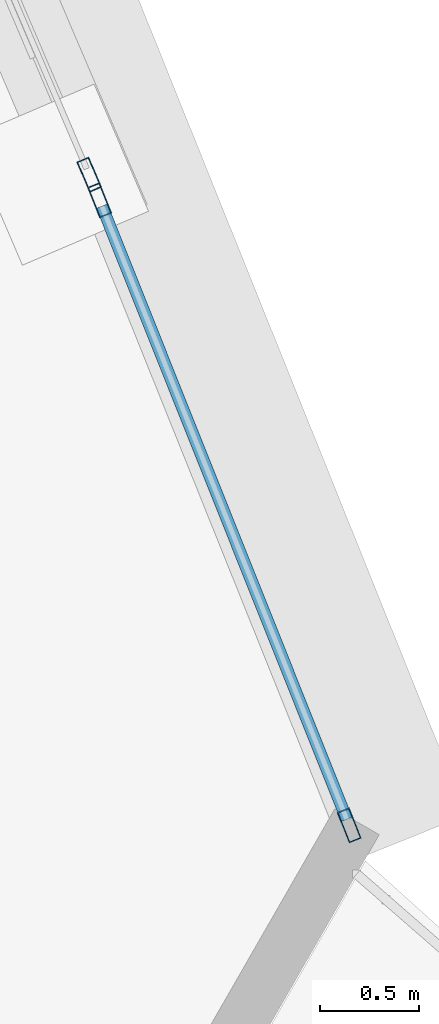
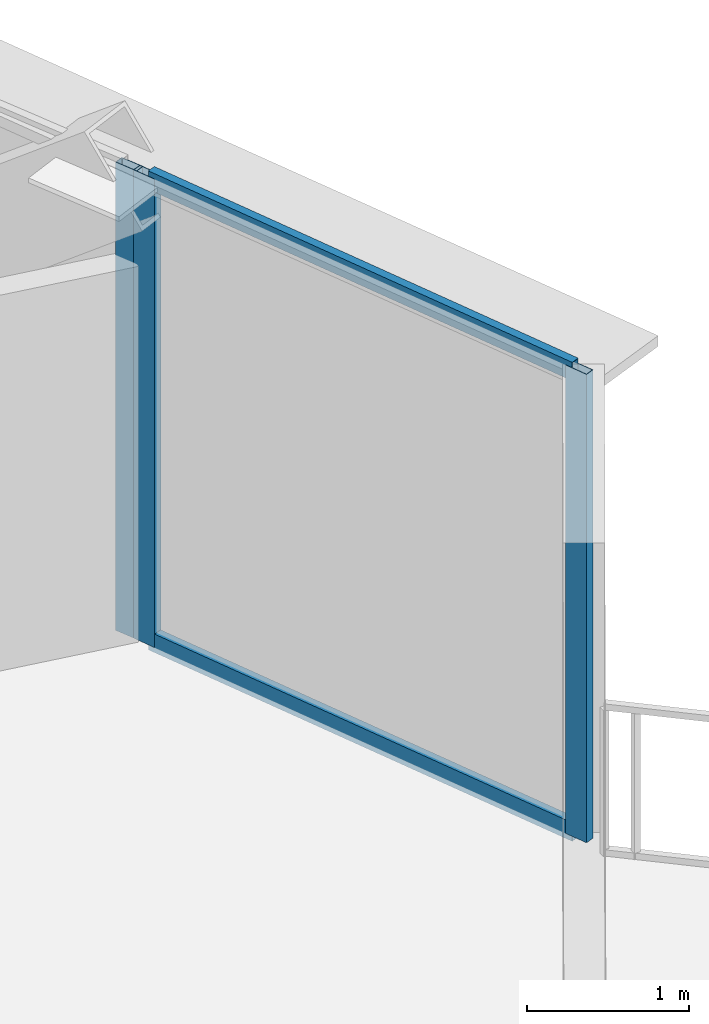
# One storey, part 22 of 36: 5 members, 2 elements without a shape of their own.
"""IFC4 building model written with IfcOpenShell, lengths in metres."""

from ifc_helpers import new_model, si_unit, direction, frame, origin, origin_2d, place, context, subcontext, project, spatial, hollow_rectangle, extrude, source, transform, mapped, material, layer, layer_set, material_profile, profile_set, type_object, element, aggregate, save


model = new_model("IFC4")

# Units and contexts
model_context = context("Model", 3, precision=1e-05, world=origin(), true_north=direction((0.0, 1.0)))
body_context = subcontext(model_context, "Body", "Model", "MODEL_VIEW")
ifc_project = project(units=[si_unit("LENGTHUNIT", "METRE"), si_unit("AREAUNIT", "SQUARE_METRE"), si_unit("VOLUMEUNIT", "CUBIC_METRE"), si_unit("PLANEANGLEUNIT", "RADIAN"), si_unit("MASSUNIT", "GRAM", prefix="KILO"), si_unit("THERMODYNAMICTEMPERATUREUNIT", "KELVIN"), si_unit("POWERUNIT", "WATT")], contexts=[model_context])

# Site, building, storey
site_placement = place(None, origin())
site = spatial("IfcSite", under=ifc_project, at=site_placement, CompositionType="ELEMENT")
building_placement = place(site_placement, origin())
building = spatial("IfcBuilding", under=site, at=building_placement, Name="Yunzhuo Pagoda Commons", CompositionType="ELEMENT")
storey_placement = place(building_placement, frame((0.0, 0.0, 107.780029296875)))
storey = spatial("IfcBuildingStorey", under=building, at=storey_placement, Name="L27", CompositionType="ELEMENT", Elevation=107.780029296875)

# Curtain wall, member
ifc_material = material(Name="Anodized aluminium 6063-T6", Category="aluminium")
ifc_layer = layer(ifc_material, 0.1650390625)
ifc_layer_set = layer_set([ifc_layer], Name="Anodized aluminium 6063-T6")
curtain_wall_type = type_object("IfcCurtainWallType", Name="CW-LOW Low-Zone Ribbon Curtain Wall", PredefinedType="NOTDEFINED", material=ifc_layer_set)
curtain_wall_1_placement = place(storey_placement, origin())
curtain_wall_1 = element("IfcCurtainWall", 1, at=curtain_wall_1_placement, inside=storey, type_object=curtain_wall_type, Name="L27 curtain wall CW-L27-F2B2", PredefinedType="NOTDEFINED")
ifc_material_profile_1 = material_profile(ifc_material, hollow_rectangle(XDim=0.06494140625, YDim=0.1650390625, WallThickness=0.00390625, at=origin_2d()), Name="Anodized aluminium 6063-T6")
ifc_profile_set_1 = profile_set([ifc_material_profile_1], Name="Anodized aluminium 6063-T6")
member_type_1 = type_object("IfcMemberType", Name="CW-LOW-M Mullion RHS 165x65x4", PredefinedType="MULLION", material=ifc_profile_set_1)
shared_shape_1 = source(origin(), body_context, "Body", "SweptSolid", [
    extrude(hollow_rectangle(XDim=0.06494140625, YDim=0.1650390625, WallThickness=0.00390625, at=origin_2d()), origin(), (0.0, 0.0, 1.0), 3.5400390625),
])
member_1_placement = place(storey_placement, frame((88.0517578125, 26.665283203125, 0.0), z_axis=(0.0, 0.0, 1.0), x_axis=(-0.919516302226, -0.39305186673, 0.0)))
member_1 = element("IfcMember", 2, at=member_1_placement, type_object=member_type_1, Name="CW mullion 1", PredefinedType="MULLION", context=body_context, shape_type="MappedRepresentation", body=[
    mapped(shared_shape_1, transform((0.0, 0.0, 0.0), scale=1.0)),
])
aggregate(curtain_wall_1, [member_1])

# Curtain wall, members
curtain_wall_2_placement = place(storey_placement, origin())
curtain_wall_2 = element("IfcCurtainWall", 3, at=curtain_wall_2_placement, inside=storey, type_object=curtain_wall_type, Name="L27 curtain wall CW-L27-F2B1", PredefinedType="NOTDEFINED")
member_2_placement = place(storey_placement, frame((89.36767578125, 23.3720703125, 0.0), z_axis=(0.0, 0.0, 1.0), x_axis=(-0.928701015293, -0.370829373424, 0.0)))
member_2 = element("IfcMember", 4, at=member_2_placement, type_object=member_type_1, Name="CW mullion 1", PredefinedType="MULLION", context=body_context, shape_type="MappedRepresentation", body=[
    mapped(shared_shape_1, transform((0.0, 0.0, 0.0), scale=1.0)),
])
member_3_placement = place(storey_placement, frame((88.1044921875, 26.535888671875, 0.0), z_axis=(0.0, 0.0, 1.0), x_axis=(-0.928701015293, -0.370829373424, 0.0)))
member_3 = element("IfcMember", 5, at=member_3_placement, type_object=member_type_1, Name="CW mullion 2", PredefinedType="MULLION", context=body_context, shape_type="MappedRepresentation", body=[
    mapped(shared_shape_1, transform((0.0, 0.0, 0.0), scale=1.0)),
])
ifc_material_profile_2 = material_profile(ifc_material, hollow_rectangle(XDim=0.06005859375, YDim=0.139892578125, WallThickness=0.00341796875, at=origin_2d()), Name="Anodized aluminium 6063-T6")
ifc_profile_set_2 = profile_set([ifc_material_profile_2], Name="Anodized aluminium 6063-T6")
member_type_2 = type_object("IfcMemberType", Name="CW-LOW-T Transom RHS 140x60x3.5", PredefinedType="USERDEFINED", material=ifc_profile_set_2)
shared_shape_2 = source(origin(), body_context, "Body", "SweptSolid", [
    extrude(hollow_rectangle(XDim=0.06005859375, YDim=0.139892578125, WallThickness=0.00341796875, at=origin_2d()), origin(), (0.0, 0.0, 1.0), 3.34130859375),
])
member_4_placement = place(storey_placement, frame((89.355712890625, 23.40234375, 0.030029296875), z_axis=(-0.370886713186, 0.928678117532, 0.0), x_axis=(-0.928678117532, -0.370886713186, 0.0)))
member_4 = element("IfcMember", 6, at=member_4_placement, type_object=member_type_2, Name="CW transom 1.1", ObjectType="TRANSOM", PredefinedType="USERDEFINED", context=body_context, shape_type="MappedRepresentation", body=[
    mapped(shared_shape_2, transform((0.0, 0.0, 0.0), scale=1.0)),
])
member_5_placement = place(storey_placement, frame((89.355712890625, 23.40234375, 3.510009765625), z_axis=(-0.370886713186, 0.928678117532, 0.0), x_axis=(-0.928678117532, -0.370886713186, 0.0)))
member_5 = element("IfcMember", 7, at=member_5_placement, type_object=member_type_2, Name="CW transom 1.2", ObjectType="TRANSOM", PredefinedType="USERDEFINED", context=body_context, shape_type="MappedRepresentation", body=[
    mapped(shared_shape_2, transform((0.0, 0.0, 0.0), scale=1.0)),
])
aggregate(curtain_wall_2, [member_2, member_3, member_4, member_5])

save(model, "model.ifc")
